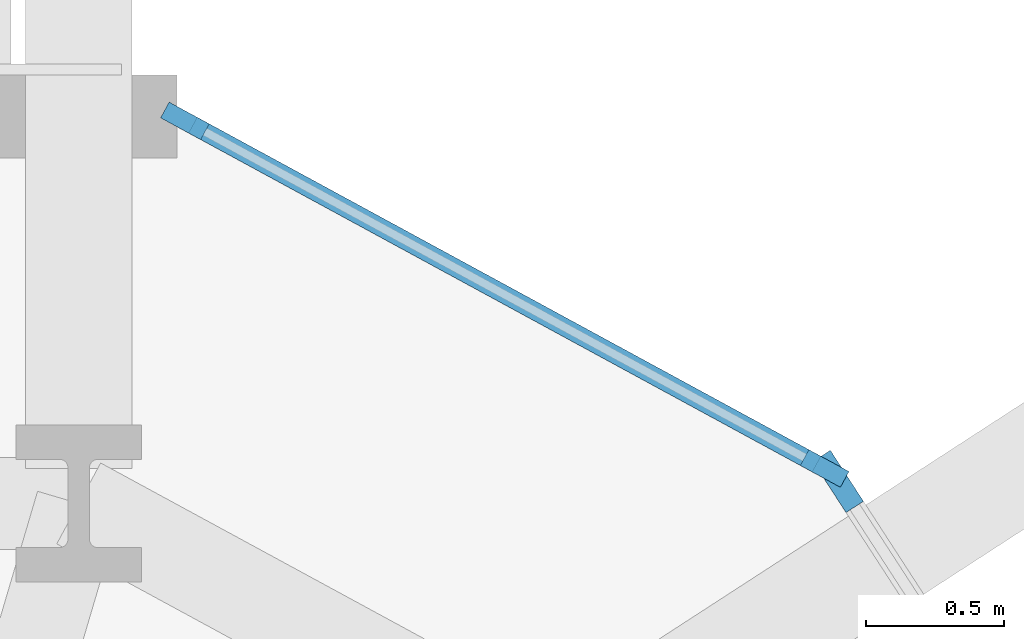
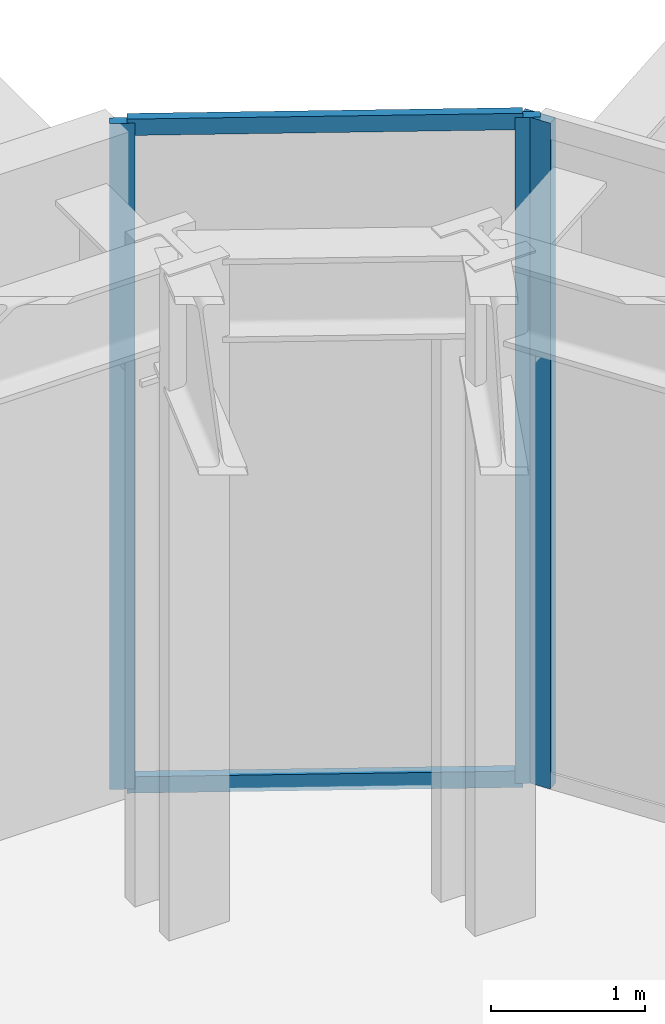
# One storey, part 11 of 19: 5 members, 2 elements without a shape of their own.
"""IFC4 building model written with IfcOpenShell, lengths in metres."""

from ifc_helpers import new_model, si_unit, direction, frame, origin, origin_2d, place, context, subcontext, project, spatial, rectangle, extrude, source, transform, mapped, material, layer, layer_set, material_profile, profile_set, type_object, type_shapes, element, aggregate, save


model = new_model("IFC4")

# Units and contexts
model_context = context("Model", 3, precision=1e-05, world=origin(), true_north=direction((0.0, 1.0)))
body_context = subcontext(model_context, "Body", "Model", "MODEL_VIEW")
ifc_project = project(units=[si_unit("LENGTHUNIT", "METRE"), si_unit("AREAUNIT", "SQUARE_METRE"), si_unit("VOLUMEUNIT", "CUBIC_METRE"), si_unit("PLANEANGLEUNIT", "RADIAN"), si_unit("MASSUNIT", "GRAM", prefix="KILO")], contexts=[model_context])

# Site, building, storey
site_placement = place(None, origin())
site = spatial("IfcSite", under=ifc_project, at=site_placement, CompositionType="ELEMENT")
building_placement = place(site_placement, origin())
building = spatial("IfcBuilding", under=site, at=building_placement, Name="Durnholm Broadcast Tower", CompositionType="ELEMENT")
storey_placement = place(building_placement, frame((0.0, 0.0, 15.60009765625)))
storey = spatial("IfcBuildingStorey", under=building, at=storey_placement, Name="L03", CompositionType="ELEMENT", Elevation=15.60009765625)

# Curtain wall, members
ifc_material_1 = material(Name="Aluminium and Solar Control IGU", Category="aluminium")
ifc_layer_1 = layer(ifc_material_1, 0.1650390625)
ifc_layer_set_1 = layer_set([ifc_layer_1], Name="Aluminium and Solar Control IGU")
curtain_wall_type_1 = type_object("IfcCurtainWallType", Name="CW-SYS-5", PredefinedType="NOTDEFINED", material=ifc_layer_set_1)
curtain_wall_1_placement = place(storey_placement, origin())
curtain_wall_1 = element("IfcCurtainWall", 1, at=curtain_wall_1_placement, inside=storey, type_object=curtain_wall_type_1, Name="L03 curtain wall CW-CORNER CW-L03-CRN-05", PredefinedType="NOTDEFINED")
ifc_material_2 = material(Name="Aluminium 6063-T6", Category="aluminium")
ifc_material_profile_1 = material_profile(ifc_material_2, rectangle(XDim=0.06494140625, YDim=0.1650390625, at=origin_2d()), Name="CWM65X165")
ifc_profile_set_1 = profile_set([ifc_material_profile_1], Name="Aluminium 6063-T6")
member_type_1 = type_object("IfcMemberType", Name="CW-SYS-5-MUL", PredefinedType="MULLION", material=ifc_profile_set_1)
shared_shape_1 = source(origin(), body_context, "Body", "SweptSolid", [
    extrude(rectangle(XDim=0.06494140625, YDim=0.1650390625, at=origin_2d()), origin(), (0.0, 0.0, 1.0), 5.27978515625),
])
type_shapes(member_type_1, [shared_shape_1])
member_1_placement = place(storey_placement, frame((14.503662109375, 23.784423828125, 0.0), z_axis=(0.0, 0.0, 1.0), x_axis=(0.477442460995, 0.878663016429, 0.0)))
member_1 = element("IfcMember", 2, at=member_1_placement, type_object=member_type_1, Name="CW-CORNER mullion 1", PredefinedType="MULLION", context=body_context, shape_type="MappedRepresentation", body=[
    mapped(shared_shape_1, transform((0.0, 0.0, 0.0), x_axis=(1.0, 0.0, 0.0), y_axis=(0.0, 1.0, 0.0), z_axis=(0.0, 0.0, 1.0), scale=1.0)),
])
member_2_placement = place(storey_placement, frame((16.81884765625, 22.5263671875, 0.0), z_axis=(0.0, 0.0, 1.0), x_axis=(0.477442460995, 0.878663016429, 0.0)))
member_2 = element("IfcMember", 3, at=member_2_placement, type_object=member_type_1, Name="CW-CORNER mullion 2", PredefinedType="MULLION", context=body_context, shape_type="MappedRepresentation", body=[
    mapped(shared_shape_1, transform((0.0, 0.0, 0.0), x_axis=(1.0, 0.0, 0.0), y_axis=(0.0, 1.0, 0.0), z_axis=(0.0, 0.0, 1.0), scale=1.0)),
])

# Curtain wall, member
ifc_layer_2 = layer(ifc_material_1, 0.219970703125)
ifc_layer_set_2 = layer_set([ifc_layer_2], Name="Aluminium and Solar Control IGU")
curtain_wall_type_2 = type_object("IfcCurtainWallType", Name="CW-SYS-2", PredefinedType="NOTDEFINED", material=ifc_layer_set_2)
curtain_wall_2_placement = place(storey_placement, origin())
curtain_wall_2 = element("IfcCurtainWall", 4, at=curtain_wall_2_placement, inside=storey, type_object=curtain_wall_type_2, Name="L03 curtain wall CW-STUDIO CW-L03-F06", PredefinedType="NOTDEFINED")
ifc_material_profile_2 = material_profile(ifc_material_2, rectangle(XDim=0.074951171875, YDim=0.219970703125, at=origin_2d()), Name="CWM75X220")
ifc_profile_set_2 = profile_set([ifc_material_profile_2], Name="Aluminium 6063-T6")
member_type_2 = type_object("IfcMemberType", Name="CW-SYS-2-MUL", PredefinedType="MULLION", material=ifc_profile_set_2)
shared_shape_2 = source(origin(), body_context, "Body", "SweptSolid", [
    extrude(rectangle(XDim=0.074951171875, YDim=0.219970703125, at=origin_2d()), origin(), (0.0, 0.0, 1.0), 5.27978515625),
])
type_shapes(member_type_2, [shared_shape_2])
member_3_placement = place(storey_placement, frame((16.867919921875, 22.4794921875, 0.0), z_axis=(0.0, 0.0, 1.0), x_axis=(0.839009373297, 0.544116964926, 0.0)))
member_3 = element("IfcMember", 5, at=member_3_placement, type_object=member_type_2, Name="CW-STUDIO mullion 1", PredefinedType="MULLION", context=body_context, shape_type="MappedRepresentation", body=[
    mapped(shared_shape_2, transform((0.0, 0.0, 0.0), x_axis=(1.0, 0.0, 0.0), y_axis=(0.0, 1.0, 0.0), z_axis=(0.0, 0.0, 1.0), scale=1.0)),
])
aggregate(curtain_wall_2, [member_3])

# Member
ifc_material_profile_3 = material_profile(ifc_material_2, rectangle(XDim=0.06494140625, YDim=0.1298828125, at=origin_2d()), Name="CWT65X130")
ifc_profile_set_3 = profile_set([ifc_material_profile_3], Name="Aluminium 6063-T6")
member_type_3 = type_object("IfcMemberType", Name="CW-SYS-5-TRN", PredefinedType="USERDEFINED", material=ifc_profile_set_3)
shared_shape_3 = source(origin(), body_context, "Body", "SweptSolid", [
    extrude(rectangle(XDim=0.06494140625, YDim=0.1298828125, at=origin_2d()), origin(), (0.0, 0.0, 1.0), 2.56982421875),
])
type_shapes(member_type_3, [shared_shape_3])
member_4_placement = place(storey_placement, frame((14.5322265625, 23.76904296875, 0.032470703125), z_axis=(0.878649635893, -0.47746708509, 0.0), x_axis=(0.47746708509, 0.878649635893, 0.0)))
member_4 = element("IfcMember", 6, at=member_4_placement, type_object=member_type_3, Name="CW-CORNER transom 1.1", ObjectType="TRANSOM", PredefinedType="USERDEFINED", context=body_context, shape_type="MappedRepresentation", body=[
    mapped(shared_shape_3, transform((0.0, 0.0, 0.0), x_axis=(1.0, 0.0, 0.0), y_axis=(0.0, 1.0, 0.0), z_axis=(0.0, 0.0, 1.0), scale=1.0)),
])

member_5_placement = place(storey_placement, frame((14.5322265625, 23.76904296875, 5.247314453125), z_axis=(0.878649635893, -0.47746708509, 0.0), x_axis=(0.47746708509, 0.878649635893, 0.0)))
member_5 = element("IfcMember", 7, at=member_5_placement, type_object=member_type_3, Name="CW-CORNER transom 1.2", ObjectType="TRANSOM", PredefinedType="USERDEFINED", context=body_context, shape_type="MappedRepresentation", body=[
    mapped(shared_shape_3, transform((0.0, 0.0, 0.0), x_axis=(1.0, 0.0, 0.0), y_axis=(0.0, 1.0, 0.0), z_axis=(0.0, 0.0, 1.0), scale=1.0)),
])

aggregate(curtain_wall_1, [member_1, member_2, member_4, member_5])

save(model, "model.ifc")
